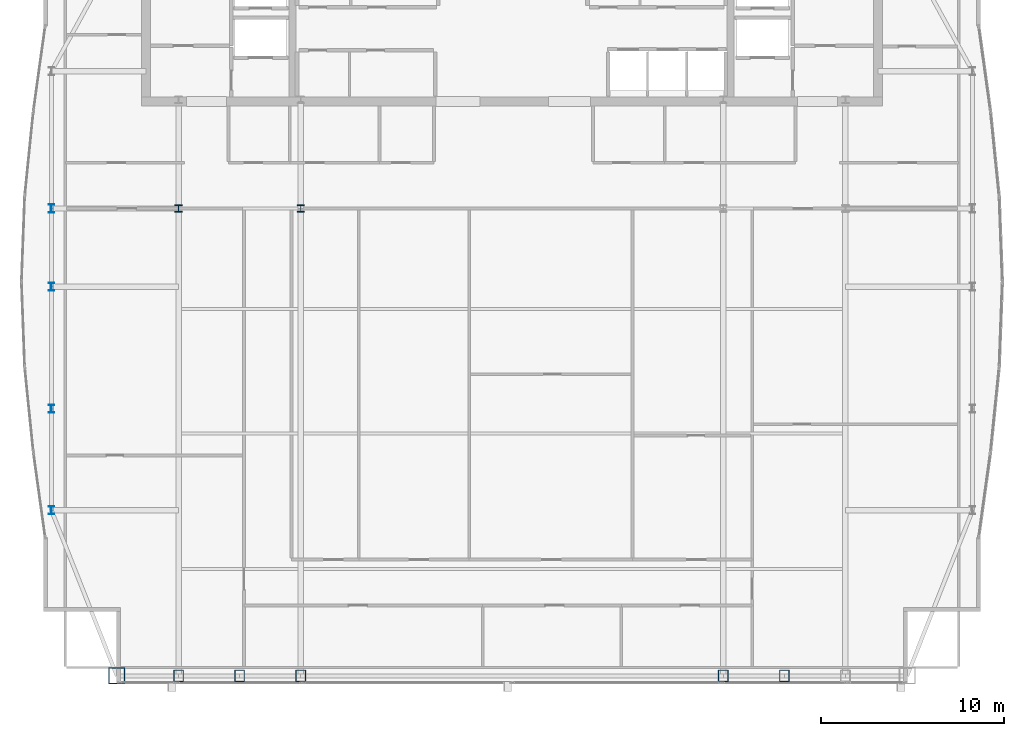
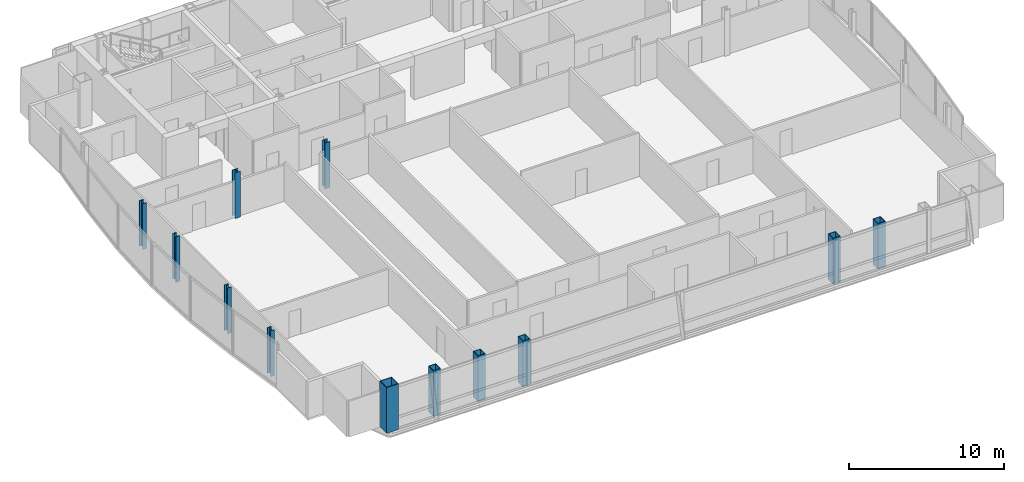
# One storey, part 1 of 26: 12 columns.
"""IFC4 building model written with IfcOpenShell, lengths in metres."""

from ifc_helpers import new_model, si_unit, direction, frame, origin, origin_2d, place, context, subcontext, project, spatial, hollow_rectangle, i_section, extrude, material, material_profile, profile_set, type_object, element, save


model = new_model("IFC4")

# Units and contexts
model_context = context("Model", 3, precision=1e-05, world=origin(), true_north=direction((0.0, 1.0)))
body_context = subcontext(model_context, "Body", "Model", "MODEL_VIEW")
ifc_project = project(units=[si_unit("LENGTHUNIT", "METRE"), si_unit("AREAUNIT", "SQUARE_METRE"), si_unit("VOLUMEUNIT", "CUBIC_METRE"), si_unit("PLANEANGLEUNIT", "RADIAN"), si_unit("MASSUNIT", "GRAM", prefix="KILO")], contexts=[model_context])

# Site, building, storey
site_placement = place(None, origin())
site = spatial("IfcSite", under=ifc_project, at=site_placement, CompositionType="ELEMENT")
building_placement = place(site_placement, origin())
building = spatial("IfcBuilding", under=site, at=building_placement, Name="Khoronbel Lancet Exchange", CompositionType="ELEMENT")
storey_placement = place(building_placement, frame((0.0, 0.0, 339.800048828125)))
storey = spatial("IfcBuildingStorey", under=building, at=storey_placement, Name="L88", CompositionType="ELEMENT", Elevation=339.800048828125)

# Columns
ifc_material_1 = material(Name="Steel S460", Category="steel")
ifc_material_profile_1 = material_profile(ifc_material_1, hollow_rectangle(XDim=0.550048828125, YDim=0.64990234375, WallThickness=0.0400390625, at=origin_2d()), Name="BOX 650x550x40")
ifc_profile_set_1 = profile_set([ifc_material_profile_1], Name="Steel S460")
column_type_1 = type_object("IfcColumnType", Name="COL-EC4", PredefinedType="COLUMN", material=ifc_profile_set_1)
for number, where, z_axis, x_axis, name in (
    (1, (18.22509765625, 10.14990234375, 0.0), (0.0, 0.0, 1.0), (1.0, 0.0, 0.0), "Structural column SC-W1 L88"),
    (2, (21.5625, 10.14990234375, 0.0), (0.0, 0.0, 1.0), (1.0, 0.0, 0.0), "Structural column SC-WM L88"),
    (3, (24.89990234375, 10.14990234375, 0.0), (0.0, 0.0, 1.0), (1.0, 0.0, 0.0), "Structural column SC-W2 L88"),
    (4, (48.0, 10.14990234375, 0.0), (0.0, 0.0, 1.0), (1.0, 0.0, 0.0), "Structural column SC-E1 L88"),
    (5, (51.33740234375, 10.14990234375, 0.0), (0.0, 0.0, 1.0), (1.0, 0.0, 0.0), "Structural column SC-EM L88"),
):
    element("IfcColumn", number, at=place(storey_placement, frame(where, z_axis=z_axis, x_axis=x_axis)), inside=storey, type_object=column_type_1, Name=name, PredefinedType="COLUMN", context=body_context, shape_type="SweptSolid", body=[
        extrude(hollow_rectangle(XDim=0.550048828125, YDim=0.64990234375, WallThickness=0.0400390625, at=origin_2d()), origin(), (0.0, 0.0, 1.0), 3.599853515625),
    ])
ifc_material_2 = material(Name="Steel S355", Category="steel")
ifc_material_profile_2 = material_profile(ifc_material_2, i_section(OverallWidth=0.39892578125, OverallDepth=0.39306640625, WebThickness=0.022705078125, FlangeThickness=0.03662109375, at=origin_2d()), Name="HD 400x287")
ifc_profile_set_2 = profile_set([ifc_material_profile_2], Name="Steel S355")
column_type_2 = type_object("IfcColumnType", Name="COL-IC4", PredefinedType="COLUMN", material=ifc_profile_set_2)
for number, where, z_axis, x_axis, name in (
    (6, (18.22509765625, 35.699951171875, 0.0), (0.0, 0.0, 1.0), (1.0, 0.0, 0.0), "Spine gravity column TC1 L88"),
    (7, (24.89990234375, 35.699951171875, 0.0), (0.0, 0.0, 1.0), (1.0, 0.0, 0.0), "Spine gravity column TC2 L88"),
):
    element("IfcColumn", number, at=place(storey_placement, frame(where, z_axis=z_axis, x_axis=x_axis)), inside=storey, type_object=column_type_2, Name=name, PredefinedType="COLUMN", context=body_context, shape_type="SweptSolid", body=[
        extrude(i_section(OverallWidth=0.39892578125, OverallDepth=0.39306640625, WebThickness=0.022705078125, FlangeThickness=0.03662109375, at=origin_2d()), origin(), (0.0, 0.0, 1.0), 3.599853515625),
    ])
ifc_material_profile_3 = material_profile(ifc_material_2, i_section(OverallWidth=0.300048828125, OverallDepth=0.449951171875, WebThickness=0.013916015625, FlangeThickness=0.02587890625, at=origin_2d()), Name="HEB 450")
ifc_profile_set_3 = profile_set([ifc_material_profile_3], Name="Steel S355")
column_type_3 = type_object("IfcColumnType", Name="COL-LC2", PredefinedType="COLUMN", material=ifc_profile_set_3)
for number, where, z_axis, x_axis, name in (
    (8, (11.27001953125, 19.199951171875, 0.0), (0.0, 0.0, 1.0), (1.0, 0.0, 0.0), "Structural column WC-1 L88"),
    (9, (11.27001953125, 24.75, 0.0), (0.0, 0.0, 1.0), (1.0, 0.0, 0.0), "Structural column WC-2 L88"),
    (10, (11.27001953125, 31.425048828125, 0.0), (0.0, 0.0, 1.0), (1.0, 0.0, 0.0), "Structural column WC-M L88"),
    (11, (11.27001953125, 35.699951171875, 0.0), (0.0, 0.0, 1.0), (1.0, 0.0, 0.0), "Structural column WC-3 L88"),
):
    element("IfcColumn", number, at=place(storey_placement, frame(where, z_axis=z_axis, x_axis=x_axis)), inside=storey, type_object=column_type_3, Name=name, PredefinedType="COLUMN", context=body_context, shape_type="SweptSolid", body=[
        extrude(i_section(OverallWidth=0.300048828125, OverallDepth=0.449951171875, WebThickness=0.013916015625, FlangeThickness=0.02587890625, at=origin_2d()), origin(), (0.0, 0.0, 1.0), 3.599853515625),
    ])
ifc_material_profile_4 = material_profile(ifc_material_1, hollow_rectangle(XDim=0.89990234375, YDim=0.89990234375, WallThickness=0.050048828125, at=origin_2d()), Name="BOX 900x900x50")
ifc_profile_set_4 = profile_set([ifc_material_profile_4], Name="Steel S460")
column_type_4 = type_object("IfcColumnType", Name="COL-MC7", PredefinedType="COLUMN", material=ifc_profile_set_4)
column_placement = place(storey_placement, frame((14.85009765625, 10.14990234375, 0.0), z_axis=(0.0, 0.0, 1.0), x_axis=(1.0, 0.0, 0.0)))
element("IfcColumn", 12, at=column_placement, inside=storey, type_object=column_type_4, Name="Structural column MC-SW L88", PredefinedType="COLUMN", context=body_context, shape_type="SweptSolid", body=[
    extrude(hollow_rectangle(XDim=0.89990234375, YDim=0.89990234375, WallThickness=0.050048828125, at=origin_2d()), origin(), (0.0, 0.0, 1.0), 3.599853515625),
])

save(model, "model.ifc")
